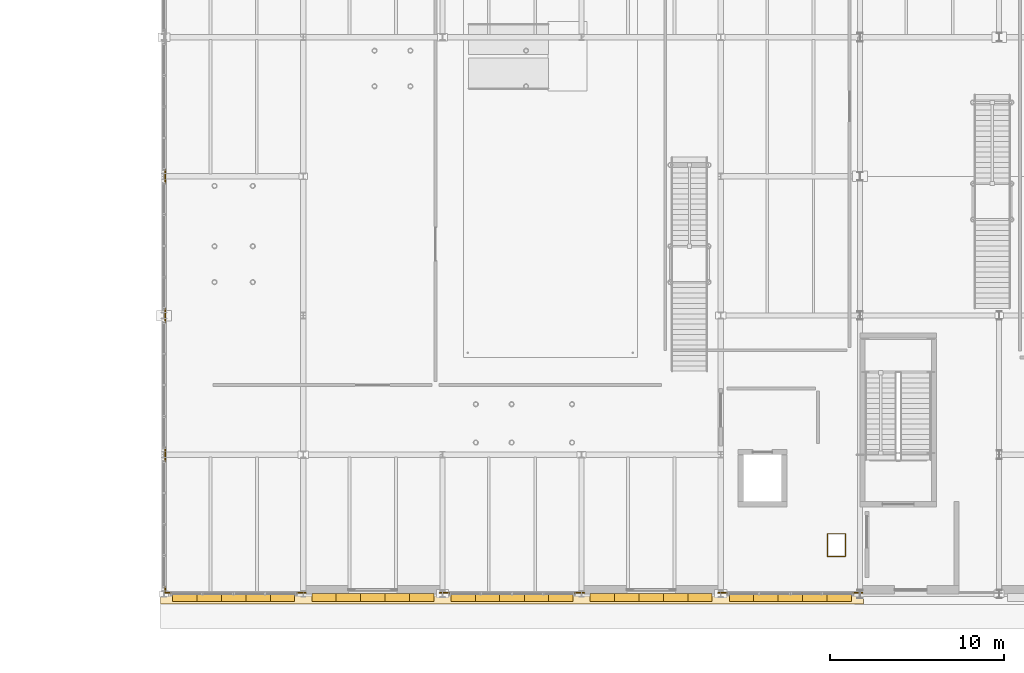
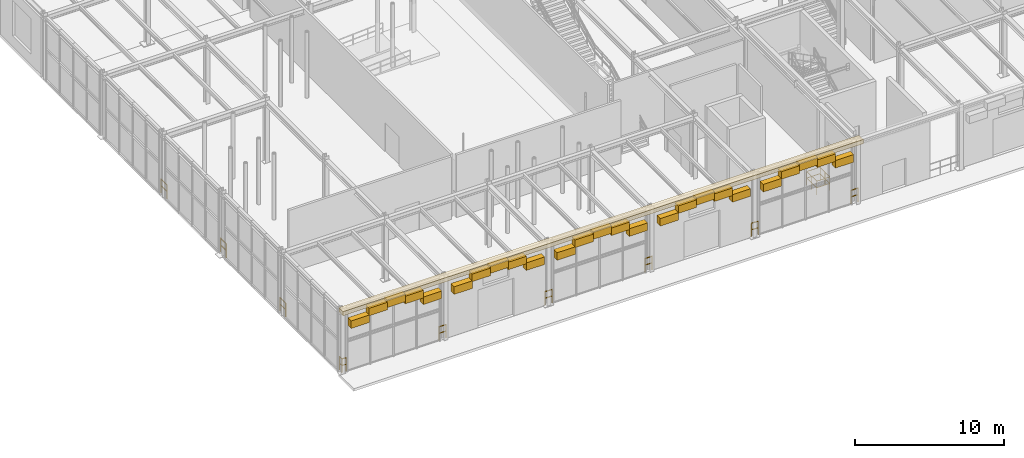
# One storey, part 112 of 129: 26 coverings, 11 railings.
"""IFC4 building model written with IfcOpenShell, lengths in metres."""

from ifc_helpers import new_model, si_unit, direction, frame, origin, origin_2d, place, context, subcontext, project, spatial, rectangle, circle, extrude, material, layer, layer_set, type_object, element, save


model = new_model("IFC4")

# Units and contexts
model_context = context("Model", 3, precision=1e-05, world=origin(), true_north=direction((0.0, 1.0)))
body_context = subcontext(model_context, "Body", "Model", "MODEL_VIEW")
ifc_project = project(units=[si_unit("LENGTHUNIT", "METRE"), si_unit("AREAUNIT", "SQUARE_METRE"), si_unit("VOLUMEUNIT", "CUBIC_METRE"), si_unit("PLANEANGLEUNIT", "RADIAN"), si_unit("MASSUNIT", "GRAM", prefix="KILO")], contexts=[model_context])

# Site, building, storey
site_placement = place(None, origin())
site = spatial("IfcSite", under=ifc_project, at=site_placement, CompositionType="ELEMENT")
building_placement = place(site_placement, origin())
building = spatial("IfcBuilding", under=site, at=building_placement, Name="Sundkrona Museum", CompositionType="ELEMENT")
storey_placement = place(building_placement, origin())
storey = spatial("IfcBuildingStorey", under=building, at=storey_placement, Name="L00", CompositionType="ELEMENT", Elevation=0.0)

# Coverings
ifc_material_1 = material(Name="Frost-Resistant Vitrified Stoneware Mosaic Cladding", Category="masonry")
ifc_layer = layer(ifc_material_1, 0.044921875)
ifc_layer_set = layer_set([ifc_layer], Name="Frost-Resistant Vitrified Stoneware Mosaic Cladding")
covering_type = type_object("IfcCoveringType", Name="COV-CLD-MOS", PredefinedType="CLADDING", material=ifc_layer_set)
for number, where, z_axis, x_axis, name in (
    (1, (81.199951171875, -0.219970703125, 3.75390625), (0.0, 0.0, 1.0), (1.0, 0.0, 0.0), "Catalan Modernisme Parabolic Arch Voussoir SA-001"),
    (2, (82.60009765625, -0.219970703125, 4.305908203125), (0.0, 0.0, 1.0), (1.0, 0.0, 0.0), "Catalan Modernisme Parabolic Arch Voussoir SA-002"),
    (3, (84.0, -0.219970703125, 4.489990234375), (0.0, 0.0, 1.0), (1.0, 0.0, 0.0), "Catalan Modernisme Parabolic Arch Voussoir SA-003"),
    (4, (85.39990234375, -0.219970703125, 4.305908203125), (0.0, 0.0, 1.0), (1.0, 0.0, 0.0), "Catalan Modernisme Parabolic Arch Voussoir SA-004"),
    (5, (86.800048828125, -0.219970703125, 3.75390625), (0.0, 0.0, 1.0), (1.0, 0.0, 0.0), "Catalan Modernisme Parabolic Arch Voussoir SA-005"),
    (6, (89.199951171875, -0.219970703125, 3.75390625), (0.0, 0.0, 1.0), (1.0, 0.0, 0.0), "Catalan Modernisme Parabolic Arch Voussoir SA-006"),
    (7, (90.60009765625, -0.219970703125, 4.305908203125), (0.0, 0.0, 1.0), (1.0, 0.0, 0.0), "Catalan Modernisme Parabolic Arch Voussoir SA-007"),
    (8, (92.0, -0.219970703125, 4.489990234375), (0.0, 0.0, 1.0), (1.0, 0.0, 0.0), "Catalan Modernisme Parabolic Arch Voussoir SA-008"),
    (9, (93.39990234375, -0.219970703125, 4.305908203125), (0.0, 0.0, 1.0), (1.0, 0.0, 0.0), "Catalan Modernisme Parabolic Arch Voussoir SA-009"),
    (10, (94.800048828125, -0.219970703125, 3.75390625), (0.0, 0.0, 1.0), (1.0, 0.0, 0.0), "Catalan Modernisme Parabolic Arch Voussoir SA-010"),
    (11, (97.199951171875, -0.219970703125, 3.75390625), (0.0, 0.0, 1.0), (1.0, 0.0, 0.0), "Catalan Modernisme Parabolic Arch Voussoir SA-011"),
    (12, (98.60009765625, -0.219970703125, 4.305908203125), (0.0, 0.0, 1.0), (1.0, 0.0, 0.0), "Catalan Modernisme Parabolic Arch Voussoir SA-012"),
    (13, (100.0, -0.219970703125, 4.489990234375), (0.0, 0.0, 1.0), (1.0, 0.0, 0.0), "Catalan Modernisme Parabolic Arch Voussoir SA-013"),
    (14, (101.39990234375, -0.219970703125, 4.305908203125), (0.0, 0.0, 1.0), (1.0, 0.0, 0.0), "Catalan Modernisme Parabolic Arch Voussoir SA-014"),
    (15, (102.800048828125, -0.219970703125, 3.75390625), (0.0, 0.0, 1.0), (1.0, 0.0, 0.0), "Catalan Modernisme Parabolic Arch Voussoir SA-015"),
    (16, (105.199951171875, -0.219970703125, 3.75390625), (0.0, 0.0, 1.0), (1.0, 0.0, 0.0), "Catalan Modernisme Parabolic Arch Voussoir SA-016"),
    (17, (106.60009765625, -0.219970703125, 4.305908203125), (0.0, 0.0, 1.0), (1.0, 0.0, 0.0), "Catalan Modernisme Parabolic Arch Voussoir SA-017"),
    (18, (108.0, -0.219970703125, 4.489990234375), (0.0, 0.0, 1.0), (1.0, 0.0, 0.0), "Catalan Modernisme Parabolic Arch Voussoir SA-018"),
    (19, (109.39990234375, -0.219970703125, 4.305908203125), (0.0, 0.0, 1.0), (1.0, 0.0, 0.0), "Catalan Modernisme Parabolic Arch Voussoir SA-019"),
    (20, (110.800048828125, -0.219970703125, 3.75390625), (0.0, 0.0, 1.0), (1.0, 0.0, 0.0), "Catalan Modernisme Parabolic Arch Voussoir SA-020"),
    (21, (113.199951171875, -0.219970703125, 3.75390625), (0.0, 0.0, 1.0), (1.0, 0.0, 0.0), "Catalan Modernisme Parabolic Arch Voussoir SA-021"),
    (22, (114.60009765625, -0.219970703125, 4.305908203125), (0.0, 0.0, 1.0), (1.0, 0.0, 0.0), "Catalan Modernisme Parabolic Arch Voussoir SA-022"),
    (23, (116.0, -0.219970703125, 4.489990234375), (0.0, 0.0, 1.0), (1.0, 0.0, 0.0), "Catalan Modernisme Parabolic Arch Voussoir SA-023"),
    (24, (117.39990234375, -0.219970703125, 4.305908203125), (0.0, 0.0, 1.0), (1.0, 0.0, 0.0), "Catalan Modernisme Parabolic Arch Voussoir SA-024"),
    (25, (118.800048828125, -0.219970703125, 3.75390625), (0.0, 0.0, 1.0), (1.0, 0.0, 0.0), "Catalan Modernisme Parabolic Arch Voussoir SA-025"),
):
    element("IfcCovering", number, at=place(storey_placement, frame(where, z_axis=z_axis, x_axis=x_axis)), inside=storey, type_object=covering_type, Name=name, PredefinedType="CLADDING", context=body_context, shape_type="SweptSolid", body=[
        extrude(rectangle(XDim=1.419921875, YDim=0.4599609375, at=origin_2d()), origin(), (0.0, 0.0, 1.0), 0.6201171875),
    ])
covering_placement = place(storey_placement, frame((100.0, -0.280029296875, 5.10986328125), z_axis=(0.0, 0.0, 1.0), x_axis=(1.0, 0.0, 0.0)))
element("IfcCovering", 26, at=covering_placement, inside=storey, type_object=covering_type, Name="Classical Corbelled Terracotta Cornice (CRN-V2-S)", PredefinedType="CLADDING", context=body_context, shape_type="SweptSolid", body=[
    extrude(rectangle(XDim=40.39990234375, YDim=0.580078125, at=origin_2d()), origin(), (0.0, 0.0, 1.0), 0.340087890625),
])

# Railings
ifc_material_2 = material(Name="Painted Steel S355J2 and Laminated Glass Balustrade", Category="steel")
railing_type = type_object("IfcRailingType", Name="RL-GUARD-1100", PredefinedType="BALUSTRADE", material=ifc_material_2)
railing_1_placement = place(storey_placement, frame((80.06005859375, 0.06005859375, 0.0)))
element("IfcRailing", 27, at=railing_1_placement, inside=storey, type_object=railing_type, Name="L00 Edge Protection Balustrade 011", PredefinedType="BALUSTRADE", context=body_context, shape_type="SweptSolid", body=[
    extrude(circle(Radius=0.02392578125, at=origin_2d()), frame((0.0, 0.0, 1.09619140625), z_axis=(0.0, 1.0, 0.0), x_axis=(-1.0, 0.0, 0.0)), (0.0, 0.0, 1.0), 0.33984375),
    extrude(circle(Radius=0.02392578125, at=origin_2d()), frame((0.0, 0.0, 0.56005859375), z_axis=(0.0, 1.0, 0.0), x_axis=(-1.0, 0.0, 0.0)), (0.0, 0.0, 1.0), 0.33984375),
    extrude(circle(Radius=0.02099609375, at=origin_2d()), origin(), (0.0, 0.0, 1.0), 1.072021484375),
    extrude(circle(Radius=0.02099609375, at=origin_2d()), frame((0.0, 0.33984375, 0.0)), (0.0, 0.0, 1.0), 1.072021484375),
])
railing_2_placement = place(storey_placement, frame((80.39990234375, 0.06005859375, 0.0)))
element("IfcRailing", 28, at=railing_2_placement, inside=storey, type_object=railing_type, Name="L00 Edge Protection Balustrade 012", PredefinedType="BALUSTRADE", context=body_context, shape_type="SweptSolid", body=[
    extrude(circle(Radius=0.02392578125, at=origin_2d()), frame((0.0, 0.0, 1.09619140625), z_axis=(-1.0, 0.0, 0.0), x_axis=(0.0, -1.0, 0.0)), (0.0, 0.0, 1.0), 0.33984375),
    extrude(circle(Radius=0.02392578125, at=origin_2d()), frame((0.0, 0.0, 0.56005859375), z_axis=(-1.0, 0.0, 0.0), x_axis=(0.0, -1.0, 0.0)), (0.0, 0.0, 1.0), 0.33984375),
    extrude(circle(Radius=0.02099609375, at=origin_2d()), origin(), (0.0, 0.0, 1.0), 1.072021484375),
    extrude(circle(Radius=0.02099609375, at=origin_2d()), frame((-0.33984375, 0.0, 0.0)), (0.0, 0.0, 1.0), 1.072021484375),
])
for number, where, name in (
    (29, (80.06005859375, 7.60009765625, 0.0), "L00 Edge Protection Balustrade 013"),
    (30, (80.06005859375, 15.60009765625, 0.0), "L00 Edge Protection Balustrade 014"),
    (31, (80.06005859375, 23.60009765625, 0.0), "L00 Edge Protection Balustrade 015"),
):
    element("IfcRailing", number, at=place(storey_placement, frame(where)), inside=storey, type_object=railing_type, Name=name, PredefinedType="BALUSTRADE", context=body_context, shape_type="SweptSolid", body=[
        extrude(circle(Radius=0.02392578125, at=origin_2d()), frame((0.0, 0.0, 1.09619140625), z_axis=(0.0, 1.0, 0.0), x_axis=(-1.0, 0.0, 0.0)), (0.0, 0.0, 1.0), 0.7998046875),
        extrude(circle(Radius=0.02392578125, at=origin_2d()), frame((0.0, 0.0, 0.56005859375), z_axis=(0.0, 1.0, 0.0), x_axis=(-1.0, 0.0, 0.0)), (0.0, 0.0, 1.0), 0.7998046875),
        extrude(circle(Radius=0.02099609375, at=origin_2d()), origin(), (0.0, 0.0, 1.0), 1.072021484375),
        extrude(circle(Radius=0.02099609375, at=origin_2d()), frame((0.0, 0.7998046875, 0.0)), (0.0, 0.0, 1.0), 1.072021484375),
    ])
for number, where, name in (
    (32, (88.152099609375, 0.06005859375, 0.0), "L00 Edge Protection Balustrade 018"),
    (33, (96.39990234375, 0.06005859375, 0.0), "L00 Edge Protection Balustrade 019"),
    (34, (104.152099609375, 0.06005859375, 0.0), "L00 Edge Protection Balustrade 021"),
    (35, (112.39990234375, 0.06005859375, 0.0), "L00 Edge Protection Balustrade 024"),
):
    element("IfcRailing", number, at=place(storey_placement, frame(where)), inside=storey, type_object=railing_type, Name=name, PredefinedType="BALUSTRADE", context=body_context, shape_type="SweptSolid", body=[
        extrude(circle(Radius=0.02392578125, at=origin_2d()), frame((0.0, 0.0, 1.09619140625), z_axis=(-1.0, 0.0, 0.0), x_axis=(0.0, -1.0, 0.0)), (0.0, 0.0, 1.0), 0.552001953125),
        extrude(circle(Radius=0.02392578125, at=origin_2d()), frame((0.0, 0.0, 0.56005859375), z_axis=(-1.0, 0.0, 0.0), x_axis=(0.0, -1.0, 0.0)), (0.0, 0.0, 1.0), 0.552001953125),
        extrude(circle(Radius=0.02099609375, at=origin_2d()), origin(), (0.0, 0.0, 1.0), 1.072021484375),
        extrude(circle(Radius=0.02099609375, at=origin_2d()), frame((-0.552001953125, 0.0, 0.0)), (0.0, 0.0, 1.0), 1.072021484375),
    ])
railing_3_placement = place(storey_placement, frame((118.139892578125, 2.139892578125, 0.0)))
element("IfcRailing", 36, at=railing_3_placement, inside=storey, type_object=railing_type, Name="L00 Edge Protection Balustrade 025", PredefinedType="BALUSTRADE", context=body_context, shape_type="SweptSolid", body=[
    extrude(circle(Radius=0.02392578125, at=origin_2d()), frame((0.0, 0.0, 1.09619140625), z_axis=(1.0, 0.0, 0.0), x_axis=(0.0, 1.0, 0.0)), (0.0, 0.0, 1.0), 1.02001953125),
    extrude(circle(Radius=0.02392578125, at=origin_2d()), frame((0.0, 0.0, 0.56005859375), z_axis=(1.0, 0.0, 0.0), x_axis=(0.0, 1.0, 0.0)), (0.0, 0.0, 1.0), 1.02001953125),
    extrude(circle(Radius=0.02392578125, at=origin_2d()), frame((1.02001953125, 0.0, 1.09619140625), z_axis=(0.0, 1.0, 0.0), x_axis=(-1.0, 0.0, 0.0)), (0.0, 0.0, 1.0), 1.320068359375),
    extrude(circle(Radius=0.02392578125, at=origin_2d()), frame((1.02001953125, 0.0, 0.56005859375), z_axis=(0.0, 1.0, 0.0), x_axis=(-1.0, 0.0, 0.0)), (0.0, 0.0, 1.0), 1.320068359375),
    extrude(circle(Radius=0.02392578125, at=origin_2d()), frame((1.02001953125, 1.320068359375, 1.09619140625), z_axis=(-1.0, 0.0, 0.0), x_axis=(0.0, -1.0, 0.0)), (0.0, 0.0, 1.0), 1.02001953125),
    extrude(circle(Radius=0.02392578125, at=origin_2d()), frame((1.02001953125, 1.320068359375, 0.56005859375), z_axis=(-1.0, 0.0, 0.0), x_axis=(0.0, -1.0, 0.0)), (0.0, 0.0, 1.0), 1.02001953125),
    extrude(circle(Radius=0.02392578125, at=origin_2d()), frame((0.0, 1.320068359375, 1.09619140625), z_axis=(0.0, -1.0, 0.0), x_axis=(1.0, 0.0, 0.0)), (0.0, 0.0, 1.0), 1.320068359375),
    extrude(circle(Radius=0.02392578125, at=origin_2d()), frame((0.0, 1.320068359375, 0.56005859375), z_axis=(0.0, -1.0, 0.0), x_axis=(1.0, 0.0, 0.0)), (0.0, 0.0, 1.0), 1.320068359375),
    extrude(circle(Radius=0.02099609375, at=origin_2d()), origin(), (0.0, 0.0, 1.0), 1.072021484375),
    extrude(circle(Radius=0.02099609375, at=origin_2d()), frame((1.02001953125, 0.0, 0.0)), (0.0, 0.0, 1.0), 1.072021484375),
    extrude(circle(Radius=0.02099609375, at=origin_2d()), frame((1.02001953125, 0.66015625, 0.0)), (0.0, 0.0, 1.0), 1.072021484375),
    extrude(circle(Radius=0.02099609375, at=origin_2d()), frame((1.02001953125, 1.320068359375, 0.0)), (0.0, 0.0, 1.0), 1.072021484375),
    extrude(circle(Radius=0.02099609375, at=origin_2d()), frame((0.0, 1.320068359375, 0.0)), (0.0, 0.0, 1.0), 1.072021484375),
    extrude(circle(Radius=0.02099609375, at=origin_2d()), frame((0.0, 0.66015625, 0.0)), (0.0, 0.0, 1.0), 1.072021484375),
])
railing_4_placement = place(storey_placement, frame((120.14990234375, 0.06005859375, 0.0)))
element("IfcRailing", 37, at=railing_4_placement, inside=storey, type_object=railing_type, Name="L00 Edge Protection Balustrade 026", PredefinedType="BALUSTRADE", context=body_context, shape_type="SweptSolid", body=[
    extrude(circle(Radius=0.02392578125, at=origin_2d()), frame((0.0, 0.0, 1.09619140625), z_axis=(-1.0, 0.0, 0.0), x_axis=(0.0, -1.0, 0.0)), (0.0, 0.0, 1.0), 0.5498046875),
    extrude(circle(Radius=0.02392578125, at=origin_2d()), frame((0.0, 0.0, 0.56005859375), z_axis=(-1.0, 0.0, 0.0), x_axis=(0.0, -1.0, 0.0)), (0.0, 0.0, 1.0), 0.5498046875),
    extrude(circle(Radius=0.02099609375, at=origin_2d()), origin(), (0.0, 0.0, 1.0), 1.072021484375),
    extrude(circle(Radius=0.02099609375, at=origin_2d()), frame((-0.5498046875, 0.0, 0.0)), (0.0, 0.0, 1.0), 1.072021484375),
])

save(model, "model.ifc")
